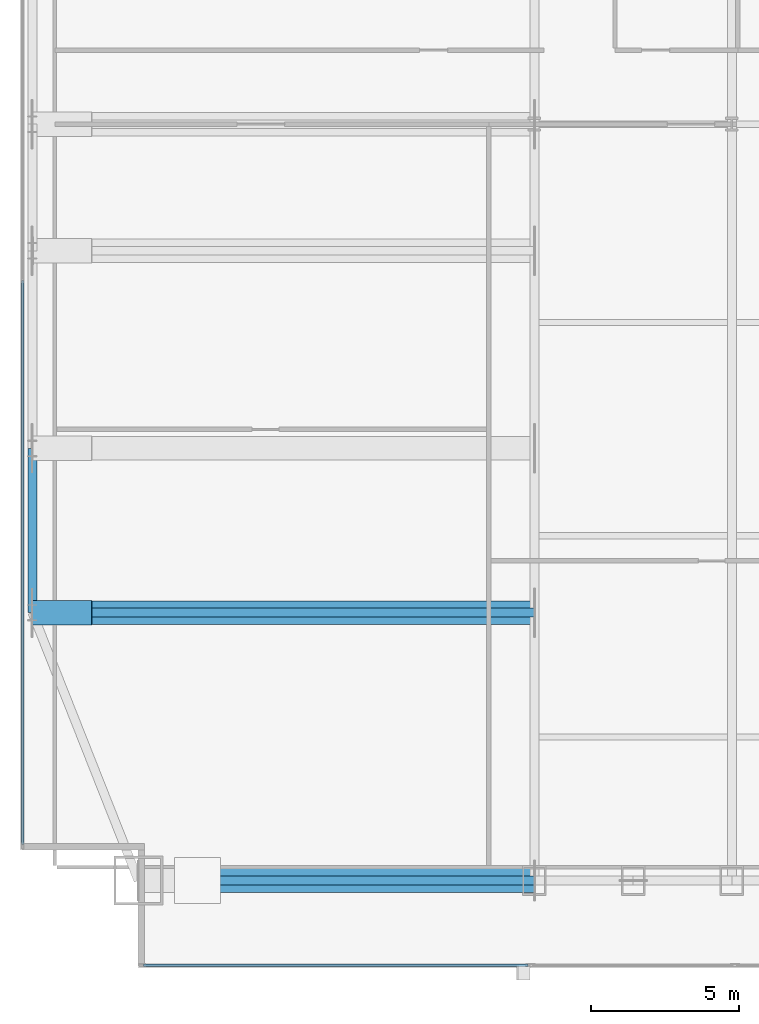
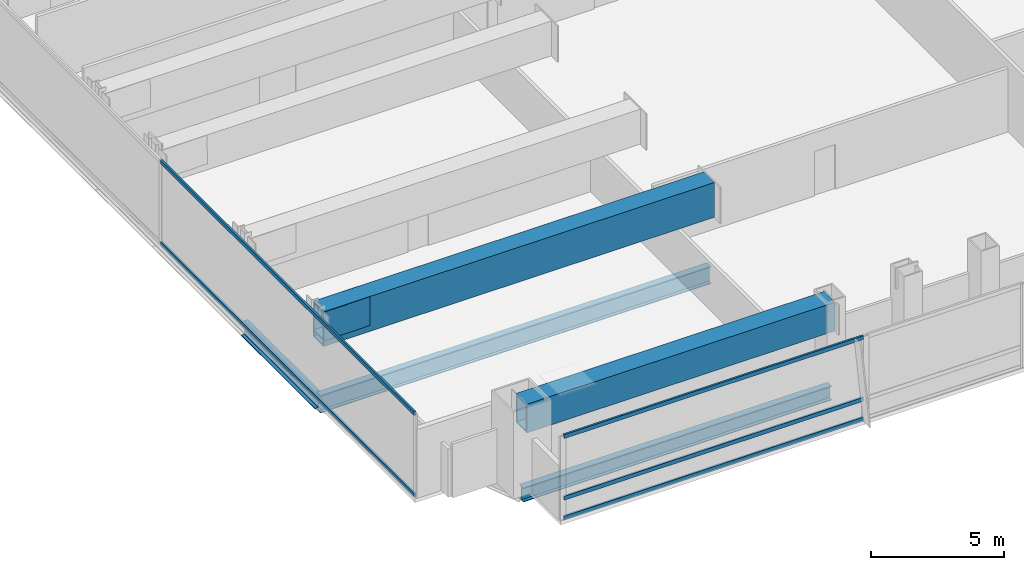
# One storey, part 6 of 32: 6 beams, 5 members, 2 elements without a shape of their own.
"""IFC4 building model written with IfcOpenShell, lengths in metres."""

from ifc_helpers import new_model, si_unit, direction, frame, origin, origin_2d, place, context, subcontext, project, spatial, hollow_rectangle, i_section, extrude, material, material_profile, profile_set, type_object, element, aggregate, save


model = new_model("IFC4")

# Units and contexts
model_context = context("Model", 3, precision=1e-05, world=origin(), true_north=direction((0.0, 1.0)))
body_context = subcontext(model_context, "Body", "Model", "MODEL_VIEW")
ifc_project = project(units=[si_unit("LENGTHUNIT", "METRE"), si_unit("AREAUNIT", "SQUARE_METRE"), si_unit("VOLUMEUNIT", "CUBIC_METRE"), si_unit("PLANEANGLEUNIT", "RADIAN"), si_unit("MASSUNIT", "GRAM", prefix="KILO")], contexts=[model_context])

# Site, building, storey
site_placement = place(None, origin())
site = spatial("IfcSite", under=ifc_project, at=site_placement, CompositionType="ELEMENT")
building_placement = place(site_placement, origin())
building = spatial("IfcBuilding", under=site, at=building_placement, Name="Khoronbel Lancet Exchange", CompositionType="ELEMENT")
storey_placement = place(building_placement, frame((0.0, 0.0, 77.800048828125)))
storey = spatial("IfcBuildingStorey", under=building, at=storey_placement, Name="L18", CompositionType="ELEMENT", Elevation=77.800048828125)

# Beams
ifc_material_1 = material(Name="Steel S355", Category="steel")
ifc_material_profile_1 = material_profile(ifc_material_1, i_section(OverallWidth=0.300048828125, OverallDepth=0.800048828125, WebThickness=0.017578125, FlangeThickness=0.032958984375, at=origin_2d()), Name="HEB 800")
ifc_profile_set_1 = profile_set([ifc_material_profile_1], Name="Steel S355")
beam_type_1 = type_object("IfcBeamType", Name="BM-BG2", PredefinedType="BEAM", material=ifc_profile_set_1)
beam_1_placement = place(storey_placement, frame((1.27001953125, 19.199951171875, -0.580078125), z_axis=(1.0, 0.0, 0.0), x_axis=(0.0, 1.0, 0.0)))
element("IfcBeam", 1, at=beam_1_placement, inside=storey, type_object=beam_type_1, Name="Level L18 west lens tie girder LG1W", PredefinedType="BEAM", context=body_context, shape_type="SweptSolid", body=[
    extrude(i_section(OverallWidth=0.300048828125, OverallDepth=0.800048828125, WebThickness=0.017578125, FlangeThickness=0.032958984375, at=origin_2d()), origin(), (0.0, 0.0, 1.0), 16.955078125),
])
ifc_material_profile_2 = material_profile(ifc_material_1, i_section(OverallWidth=0.300048828125, OverallDepth=0.64990234375, WebThickness=0.01611328125, FlangeThickness=0.031005859375, at=origin_2d()), Name="HEB 650")
ifc_profile_set_2 = profile_set([ifc_material_profile_2], Name="Steel S355")
beam_type_2 = type_object("IfcBeamType", Name="BM-BSP1", PredefinedType="SPANDREL", material=ifc_profile_set_2)
beam_2_placement = place(storey_placement, frame((4.85009765625, 10.14990234375, -0.505126953125), z_axis=(1.0, 0.0, 0.0), x_axis=(0.0, 1.0, 0.0)))
element("IfcBeam", 2, at=beam_2_placement, inside=storey, type_object=beam_type_2, Name="Level L18 perimeter spandrel beam SP01", PredefinedType="SPANDREL", context=body_context, shape_type="SweptSolid", body=[
    extrude(i_section(OverallWidth=0.300048828125, OverallDepth=0.64990234375, WebThickness=0.01611328125, FlangeThickness=0.031005859375, at=origin_2d()), origin(), (0.0, 0.0, 1.0), 13.375),
])
beam_3_placement = place(storey_placement, frame((1.27001953125, 24.75, -0.505126953125), z_axis=(0.0, -1.0, 0.0), x_axis=(1.0, 0.0, 0.0)))
element("IfcBeam", 3, at=beam_3_placement, inside=storey, type_object=beam_type_2, Name="Level L18 perimeter spandrel beam SP20", PredefinedType="SPANDREL", context=body_context, shape_type="SweptSolid", body=[
    extrude(i_section(OverallWidth=0.300048828125, OverallDepth=0.64990234375, WebThickness=0.01611328125, FlangeThickness=0.031005859375, at=origin_2d()), origin(), (0.0, 0.0, 1.0), 5.550048828125),
])
ifc_material_2 = material(Name="Steel S460", Category="steel")
ifc_material_profile_3 = material_profile(ifc_material_2, hollow_rectangle(XDim=0.800048828125, YDim=1.60009765625, WallThickness=0.06494140625, at=origin_2d()), Name="BOX 800x1600x65")
ifc_profile_set_3 = profile_set([ifc_material_profile_3], Name="Steel S460")
beam_type_3 = type_object("IfcBeamType", Name="BM-TG2", PredefinedType="USERDEFINED", material=ifc_profile_set_3)
beam_4_placement = place(storey_placement, frame((1.27001953125, 19.199951171875, 3.02001953125), z_axis=(1.0, 0.0, 0.0), x_axis=(0.0, 1.0, 0.0)))
element("IfcBeam", 4, at=beam_4_placement, inside=storey, type_object=beam_type_3, Name="Lens setback S460 transfer girder L18-W1", ObjectType="TRANSFER GIRDER", PredefinedType="USERDEFINED", context=body_context, shape_type="SweptSolid", body=[
    extrude(hollow_rectangle(XDim=0.800048828125, YDim=1.60009765625, WallThickness=0.06494140625, at=origin_2d()), origin(), (0.0, 0.0, 1.0), 16.955078125),
])
ifc_material_profile_4 = material_profile(ifc_material_2, hollow_rectangle(XDim=0.820068359375, YDim=1.320068359375, WallThickness=0.070068359375, at=origin_2d()), Name="BOX 820x1320x70")
ifc_profile_set_4 = profile_set([ifc_material_profile_4], Name="Steel S460")
beam_type_4 = type_object("IfcBeamType", Name="BM-TG4", PredefinedType="USERDEFINED", material=ifc_profile_set_4)
beam_5_placement = place(storey_placement, frame((1.27001953125, 19.199951171875, 3.139892578125), z_axis=(0.99994990606, 0.0, 0.010009264196), x_axis=(0.0, 1.0, 0.0)))
element("IfcBeam", 5, at=beam_5_placement, inside=storey, type_object=beam_type_4, Name="Setback transfer knee-brace girder L18-WC-1", ObjectType="TRANSFER GIRDER", PredefinedType="USERDEFINED", context=body_context, shape_type="SweptSolid", body=[
    extrude(hollow_rectangle(XDim=0.820068359375, YDim=1.320068359375, WallThickness=0.070068359375, at=origin_2d()), origin(), (0.0, 0.0, 1.0), 2.0),
])
beam_6_placement = place(storey_placement, frame((4.85009765625, 10.14990234375, 3.159912109375), z_axis=(1.0, 0.0, 0.0), x_axis=(0.0, 1.0, 0.0)))
element("IfcBeam", 6, at=beam_6_placement, inside=storey, type_object=beam_type_4, Name="Corner mega-column setback transfer girder L18-SW", ObjectType="TRANSFER GIRDER", PredefinedType="USERDEFINED", context=body_context, shape_type="SweptSolid", body=[
    extrude(hollow_rectangle(XDim=0.820068359375, YDim=1.320068359375, WallThickness=0.070068359375, at=origin_2d()), origin(), (0.0, 0.0, 1.0), 13.375),
])

# Curtain wall, members
ifc_material_3 = material(Name="Low-E Solar Control Insulating Glass", Category="glass")
curtain_wall_type_1 = type_object("IfcCurtainWallType", Name="CW-4", PredefinedType="NOTDEFINED", material=ifc_material_3)
curtain_wall_1_placement = place(storey_placement, origin())
curtain_wall_1 = element("IfcCurtainWall", 7, at=curtain_wall_1_placement, inside=storey, type_object=curtain_wall_type_1, Name="Unitised curtain wall CW-L18-E03", PredefinedType="NOTDEFINED")
ifc_material_4 = material(Name="Bronze-Anodised Aluminium 6063-T6", Category="aluminium")
ifc_material_profile_5 = material_profile(ifc_material_4, hollow_rectangle(XDim=0.0849609375, YDim=0.179931640625, WallThickness=0.0048828125, at=origin_2d()), Name="ALU TRANSOM 85x180")
ifc_profile_set_5 = profile_set([ifc_material_profile_5], Name="Bronze-Anodised Aluminium 6063-T6")
member_type = type_object("IfcMemberType", Name="MEM-CWT1", PredefinedType="USERDEFINED", material=ifc_profile_set_5)
member_1_placement = place(storey_placement, frame((0.93994140625, 11.364990234375, 0.04248046875), z_axis=(0.0, 1.0, 0.0), x_axis=(-1.0, 0.0, 0.0)))
member_1 = element("IfcMember", 8, at=member_1_placement, type_object=member_type, Name="CW4 transom 1.1", ObjectType="TRANSOM", PredefinedType="USERDEFINED", context=body_context, shape_type="SweptSolid", body=[
    extrude(hollow_rectangle(XDim=0.0849609375, YDim=0.179931640625, WallThickness=0.0048828125, at=origin_2d()), origin(), (0.0, 0.0, 1.0), 19.047607421875),
])
member_2_placement = place(storey_placement, frame((0.93994140625, 11.364990234375, 3.77734375), z_axis=(0.0, 1.0, 0.0), x_axis=(-1.0, 0.0, 0.0)))
member_2 = element("IfcMember", 9, at=member_2_placement, type_object=member_type, Name="CW4 transom 1.2", ObjectType="TRANSOM", PredefinedType="USERDEFINED", context=body_context, shape_type="SweptSolid", body=[
    extrude(hollow_rectangle(XDim=0.0849609375, YDim=0.179931640625, WallThickness=0.0048828125, at=origin_2d()), origin(), (0.0, 0.0, 1.0), 19.047607421875),
])
aggregate(curtain_wall_1, [member_1, member_2])

curtain_wall_type_2 = type_object("IfcCurtainWallType", Name="CW-1", PredefinedType="NOTDEFINED", material=ifc_material_3)
curtain_wall_2_placement = place(storey_placement, origin())
curtain_wall_2 = element("IfcCurtainWall", 10, at=curtain_wall_2_placement, inside=storey, type_object=curtain_wall_type_2, Name="Unitised curtain wall CW-L18-SWV", PredefinedType="NOTDEFINED")
member_3_placement = place(storey_placement, frame((5.02490234375, 7.2900390625, 0.04248046875), z_axis=(1.0, 0.0, 0.0), x_axis=(0.0, 1.0, 0.0)))
member_3 = element("IfcMember", 11, at=member_3_placement, type_object=member_type, Name="CW1 transom 1.1", ObjectType="TRANSOM", PredefinedType="USERDEFINED", context=body_context, shape_type="SweptSolid", body=[
    extrude(hollow_rectangle(XDim=0.0849609375, YDim=0.179931640625, WallThickness=0.0048828125, at=origin_2d()), origin(), (0.0, 0.0, 1.0), 12.989990234375),
])
member_4_placement = place(storey_placement, frame((5.02490234375, 7.2900390625, 0.949951171875), z_axis=(1.0, 0.0, 0.0), x_axis=(0.0, 1.0, 0.0)))
member_4 = element("IfcMember", 12, at=member_4_placement, type_object=member_type, Name="CW1 transom 1.2", ObjectType="TRANSOM", PredefinedType="USERDEFINED", context=body_context, shape_type="SweptSolid", body=[
    extrude(hollow_rectangle(XDim=0.0849609375, YDim=0.179931640625, WallThickness=0.0048828125, at=origin_2d()), origin(), (0.0, 0.0, 1.0), 12.989990234375),
])
member_5_placement = place(storey_placement, frame((5.02490234375, 7.2900390625, 3.77734375), z_axis=(1.0, 0.0, 0.0), x_axis=(0.0, 1.0, 0.0)))
member_5 = element("IfcMember", 13, at=member_5_placement, type_object=member_type, Name="CW1 transom 1.3", ObjectType="TRANSOM", PredefinedType="USERDEFINED", context=body_context, shape_type="SweptSolid", body=[
    extrude(hollow_rectangle(XDim=0.0849609375, YDim=0.179931640625, WallThickness=0.0048828125, at=origin_2d()), origin(), (0.0, 0.0, 1.0), 12.989990234375),
])
aggregate(curtain_wall_2, [member_3, member_4, member_5])

save(model, "model.ifc")
